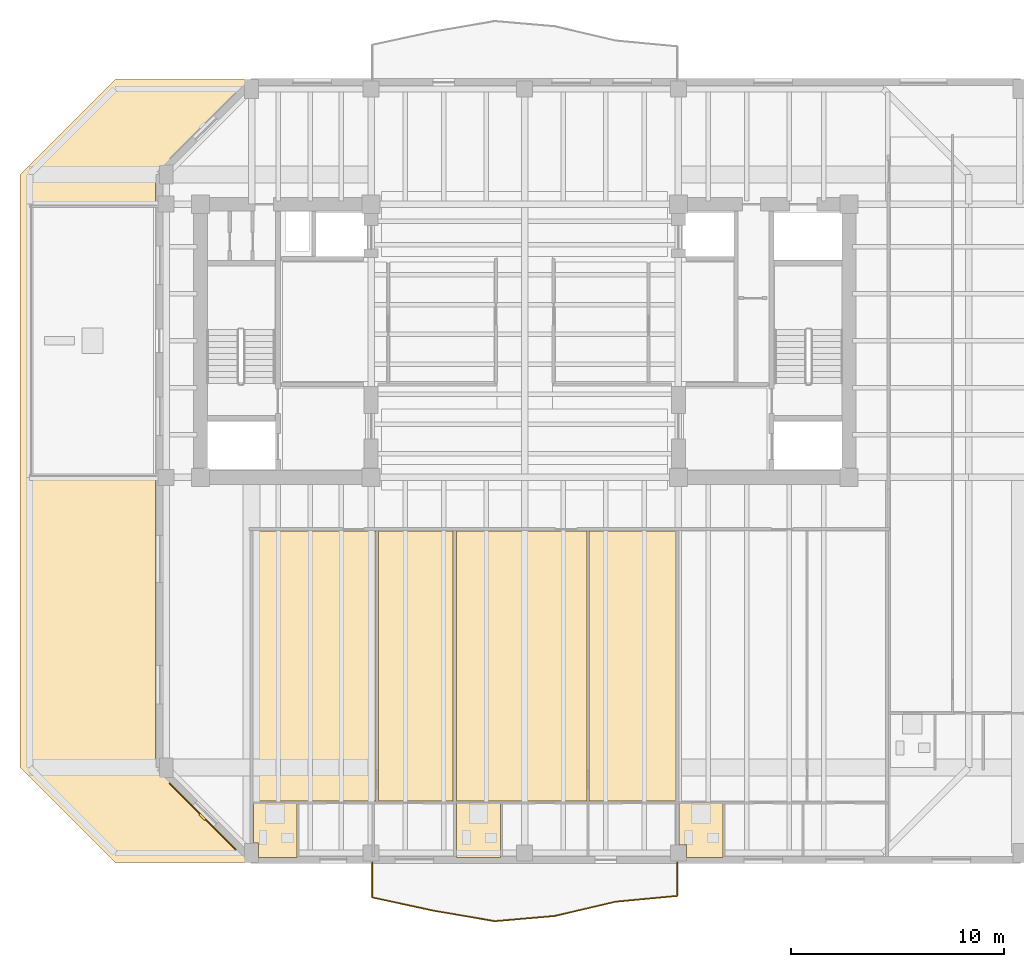
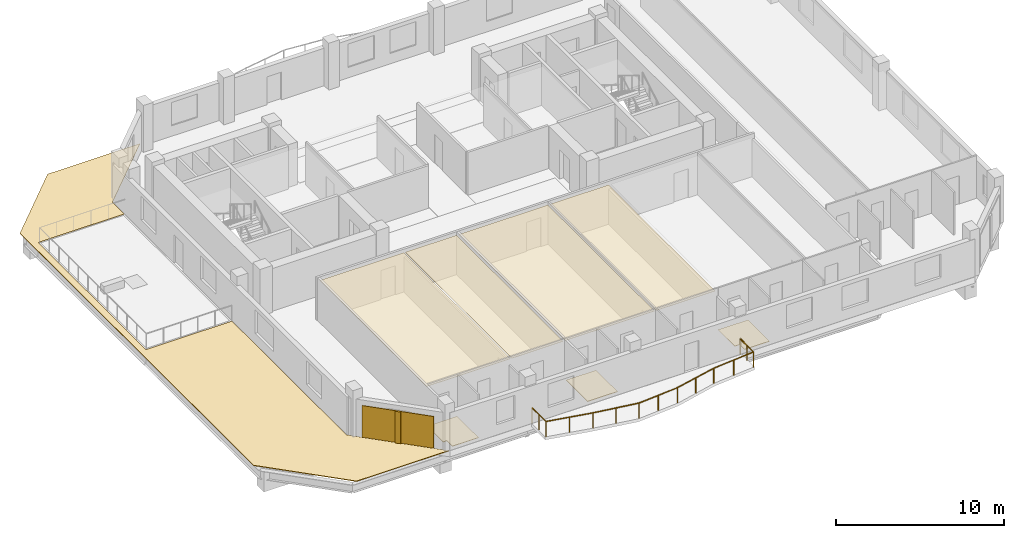
# One storey, part 7 of 11: 9 coverings, 1 railing, 1 shading device.
"""IFC4 building model written with IfcOpenShell, lengths in metres."""

from ifc_helpers import new_model, si_unit, direction, frame, origin, origin_2d, place, context, subcontext, project, spatial, polyline, rectangle, circle, outline, extrude, material, layer, layer_set, type_object, element, save


model = new_model("IFC4")

# Units and contexts
model_context = context("Model", 3, precision=1e-05, world=origin(), true_north=direction((0.0, 1.0)))
body_context = subcontext(model_context, "Body", "Model", "MODEL_VIEW")
ifc_project = project(units=[si_unit("LENGTHUNIT", "METRE"), si_unit("AREAUNIT", "SQUARE_METRE"), si_unit("VOLUMEUNIT", "CUBIC_METRE"), si_unit("PLANEANGLEUNIT", "RADIAN"), si_unit("MASSUNIT", "GRAM", prefix="KILO")], contexts=[model_context])

# Site, building, storey
site_placement = place(None, origin())
site = spatial("IfcSite", under=ifc_project, at=site_placement, CompositionType="ELEMENT")
building_placement = place(site_placement, origin())
building = spatial("IfcBuilding", under=site, at=building_placement, Name="Kranthara Brick Stack", CompositionType="ELEMENT")
storey_placement = place(building_placement, frame((0.0, 0.0, 227.89990234375)))
storey = spatial("IfcBuildingStorey", under=building, at=storey_placement, Name="L59", CompositionType="ELEMENT", Elevation=227.89990234375)

# Coverings
ifc_material_1 = material(Name="Perforated mineral-fibre acoustic ceiling tile", Category="other")
ifc_layer_1 = layer(ifc_material_1, 0.02490234375)
ifc_layer_set_1 = layer_set([ifc_layer_1], Name="Perforated mineral-fibre acoustic ceiling tile")
covering_type_1 = type_object("IfcCoveringType", Name="COV-CEIL-ACOUSTIC", PredefinedType="CEILING", material=ifc_layer_set_1)
covering_1_placement = place(storey_placement, frame((0.0, 0.0, 2.830078125)))
element("IfcCovering", 1, at=covering_1_placement, inside=storey, type_object=covering_type_1, Name="L59 Unit L59A 1-Bed Apartment Living Dining Acoustic Ceiling", PredefinedType="CEILING", context=body_context, shape_type="SweptSolid", body=[
    extrude(outline(polyline([(21.0390625, 5.6298828125), (21.0390625, 18.300048828125), (15.280029296875, 18.300048828125), (15.280029296875, 5.6298828125), (21.0390625, 5.6298828125)])), origin(), (0.0, 0.0, 1.0), 0.02490234375),
])
covering_2_placement = place(storey_placement, frame((0.0, 0.0, 2.830078125)))
element("IfcCovering", 2, at=covering_2_placement, inside=storey, type_object=covering_type_1, Name="L59 Unit L59A Private Study Room Acoustic Ceiling", PredefinedType="CEILING", context=body_context, shape_type="SweptSolid", body=[
    extrude(outline(polyline([(24.64990234375, 5.6298828125), (24.64990234375, 18.300048828125), (21.138916015625, 18.300048828125), (21.138916015625, 5.6298828125), (24.64990234375, 5.6298828125)])), origin(), (0.0, 0.0, 1.0), 0.02490234375),
])
covering_3_placement = place(storey_placement, frame((0.0, 0.0, 2.830078125)))
element("IfcCovering", 3, at=covering_3_placement, inside=storey, type_object=covering_type_1, Name="L59 Unit L59B 1-Bed Apartment Living Dining Acoustic Ceiling", PredefinedType="CEILING", context=body_context, shape_type="SweptSolid", body=[
    extrude(outline(polyline([(30.916015625, 5.6298828125), (30.916015625, 18.300048828125), (24.81005859375, 18.300048828125), (24.81005859375, 5.6298828125), (30.916015625, 5.6298828125)])), origin(), (0.0, 0.0, 1.0), 0.02490234375),
])
covering_4_placement = place(storey_placement, frame((0.0, 0.0, 2.830078125)))
element("IfcCovering", 4, at=covering_4_placement, inside=storey, type_object=covering_type_1, Name="L59 Unit L59B Private Study Room Acoustic Ceiling", PredefinedType="CEILING", context=body_context, shape_type="SweptSolid", body=[
    extrude(outline(polyline([(35.072998046875, 5.6298828125), (35.072998046875, 18.300048828125), (31.01611328125, 18.300048828125), (31.01611328125, 5.6298828125), (35.072998046875, 5.6298828125)])), origin(), (0.0, 0.0, 1.0), 0.02490234375),
])
ifc_material_2 = material(Name="Warm buff kiln-fired brick slip rainscreen", Category="masonry")
ifc_layer_2 = layer(ifc_material_2, 0.044921875)
ifc_layer_set_2 = layer_set([ifc_layer_2], Name="Warm buff kiln-fired brick slip rainscreen")
covering_type_2 = type_object("IfcCoveringType", Name="COV-CLAD-BRICK", PredefinedType="CLADDING", material=ifc_layer_set_2)
covering_5_placement = place(storey_placement, frame((12.91259765625, 4.91259765625, 0.05029296875), z_axis=(0.0, 0.0, 1.0), x_axis=(-0.707106781187, 0.707106781187, 0.0)))
element("IfcCovering", 5, at=covering_5_placement, inside=storey, type_object=covering_type_2, Name="L59 Chamfer Brick Rainscreen Cladding SW", PredefinedType="CLADDING", context=body_context, shape_type="SweptSolid", body=[
    extrude(rectangle(XDim=4.39892578125, YDim=0.044921875, at=origin_2d()), origin(), (0.0, 0.0, 1.0), 2.300048828125),
])
ifc_material_3 = material(Name="Honed terrazzo and porcelain floor finish", Category="stone")
ifc_layer_3 = layer(ifc_material_3, 0.030029296875)
ifc_layer_set_3 = layer_set([ifc_layer_3], Name="Honed terrazzo and porcelain floor finish")
covering_type_3 = type_object("IfcCoveringType", Name="COV-FLOR-STONE", PredefinedType="FLOORING", material=ifc_layer_set_3)
covering_6_placement = place(storey_placement, origin())
element("IfcCovering", 6, at=covering_6_placement, inside=storey, type_object=covering_type_3, Name="L59 Wet Room Porcelain Flooring", PredefinedType="FLOORING", context=body_context, shape_type="SweptSolid", body=[
    extrude(outline(polyline([(15.280029296875, 5.550048828125), (17.330078125, 5.550048828125), (17.330078125, 3.0), (15.534912109375, 3.0), (15.534912109375, 3.659912109375), (15.280029296875, 3.659912109375), (15.280029296875, 5.550048828125)])), origin(), (0.0, 0.0, 1.0), 0.030029296875),
])
covering_7_placement = place(storey_placement, origin())
element("IfcCovering", 7, at=covering_7_placement, inside=storey, type_object=covering_type_3, Name="L59 Wet Room Porcelain Flooring", PredefinedType="FLOORING", context=body_context, shape_type="SweptSolid", body=[
    extrude(outline(polyline([(26.860107421875, 3.0), (26.860107421875, 5.550048828125), (24.81005859375, 5.550048828125), (24.81005859375, 3.0), (26.860107421875, 3.0)])), origin(), (0.0, 0.0, 1.0), 0.030029296875),
])
covering_8_placement = place(storey_placement, origin())
element("IfcCovering", 8, at=covering_8_placement, inside=storey, type_object=covering_type_3, Name="L59 Wet Room Porcelain Flooring", PredefinedType="FLOORING", context=body_context, shape_type="SweptSolid", body=[
    extrude(outline(polyline([(35.23291015625, 5.550048828125), (37.282958984375, 5.550048828125), (37.282958984375, 3.0), (35.5849609375, 3.0), (35.5849609375, 3.5849609375), (35.23291015625, 3.5849609375), (35.23291015625, 5.550048828125)])), origin(), (0.0, 0.0, 1.0), 0.030029296875),
])
ifc_material_4 = material(Name="EPDM waterproofing membrane and rigid insulation", Category="other")
ifc_layer_4 = layer(ifc_material_4, 0.0400390625)
ifc_layer_set_4 = layer_set([ifc_layer_4], Name="EPDM waterproofing membrane and rigid insulation")
covering_type_4 = type_object("IfcCoveringType", Name="COV-ROOF-MEMB", PredefinedType="ROOFING", material=ifc_layer_set_4)
covering_9_placement = place(storey_placement, frame((0.0, 0.0, -0.039794921875)))
element("IfcCovering", 9, at=covering_9_placement, inside=storey, type_object=covering_type_4, Name="L59 Setback Flat Roof Waterproofing Membrane 01", PredefinedType="ROOFING", context=body_context, shape_type="SweptSolid", body=[
    extrude(outline(polyline([(4.35009765625, 7.220703125), (4.35009765625, 34.979248046875), (8.82080078125, 39.449951171875), (15.14990234375, 39.449951171875), (10.699951171875, 35.0), (10.699951171875, 33.60009765625), (4.800048828125, 33.60009765625), (4.800048828125, 20.800048828125), (10.699951171875, 20.800048828125), (10.699951171875, 7.199951171875), (15.14990234375, 2.75), (8.82080078125, 2.75), (4.35009765625, 7.220703125)])), origin(), (0.0, 0.0, 1.0), 0.039794921875),
])

# Railing
ifc_material_5 = material(Name="Bronze anodised aluminium and laminated glass balustrade", Category="aluminium")
railing_type = type_object("IfcRailingType", Name="RL-BALC-1120", PredefinedType="BALUSTRADE", material=ifc_material_5)
railing_placement = place(storey_placement, frame((35.139892578125, 2.760009765625, 0.0)))
element("IfcRailing", 10, at=railing_placement, inside=storey, type_object=railing_type, Name="L59 South Rippling Balcony Balustrade", PredefinedType="BALUSTRADE", context=body_context, shape_type="SweptSolid", body=[
    extrude(circle(Radius=0.02392578125, at=origin_2d()), frame((0.0, 0.0, 1.09619140625), z_axis=(0.0, -1.0, 0.0), x_axis=(1.0, 0.0, 0.0)), (0.0, 0.0, 1.0), 1.57177734375),
    extrude(circle(Radius=0.02392578125, at=origin_2d()), frame((0.0, -1.57177734375, 1.09619140625), z_axis=(-0.995609679925, -0.09360216472, 0.0), x_axis=(0.09360216472, -0.995609679925, 0.0)), (0.0, 0.0, 1.0), 2.892578125),
    extrude(circle(Radius=0.02392578125, at=origin_2d()), frame((-2.8798828125, -1.842529296875, 1.09619140625), z_axis=(-0.973713980444, -0.227774195834, 0.0), x_axis=(0.227774195834, -0.973713980444, 0.0)), (0.0, 0.0, 1.0), 2.947509765625),
    extrude(circle(Radius=0.02392578125, at=origin_2d()), frame((-5.75, -2.513916015625, 1.09619140625), z_axis=(-0.996296771882, -0.085981058019, 0.0), x_axis=(0.085981058019, -0.996296771882, 0.0)), (0.0, 0.0, 1.0), 2.7939453125),
    extrude(circle(Radius=0.02392578125, at=origin_2d()), frame((-8.53369140625, -2.754150390625, 1.09619140625), z_axis=(-0.985748990032, 0.168222854128, 0.0), x_axis=(-0.168222854128, -0.985748990032, 0.0)), (0.0, 0.0, 1.0), 2.908447265625),
    extrude(circle(Radius=0.02392578125, at=origin_2d()), frame((-11.400634765625, -2.264892578125, 1.09619140625), z_axis=(-0.977479825802, 0.211028884634, 0.0), x_axis=(-0.211028884634, -0.977479825802, 0.0)), (0.0, 0.0, 1.0), 2.945556640625),
    extrude(circle(Radius=0.02392578125, at=origin_2d()), frame((-14.27978515625, -1.643310546875, 1.09619140625), z_axis=(0.0, 1.0, 0.0), x_axis=(-1.0, 0.0, 0.0)), (0.0, 0.0, 1.0), 1.643310546875),
    extrude(circle(Radius=0.02099609375, at=origin_2d()), origin(), (0.0, 0.0, 1.0), 1.072021484375),
    extrude(circle(Radius=0.02099609375, at=origin_2d()), frame((0.0, -0.785888671875, 0.0)), (0.0, 0.0, 1.0), 1.072021484375),
    extrude(circle(Radius=0.02099609375, at=origin_2d()), frame((0.0, -1.57177734375, 0.0)), (0.0, 0.0, 1.0), 1.072021484375),
    extrude(circle(Radius=0.02099609375, at=origin_2d()), frame((-1.43994140625, -1.70703125, 0.0)), (0.0, 0.0, 1.0), 1.072021484375),
    extrude(circle(Radius=0.02099609375, at=origin_2d()), frame((-2.8798828125, -1.842529296875, 0.0)), (0.0, 0.0, 1.0), 1.072021484375),
    extrude(circle(Radius=0.02099609375, at=origin_2d()), frame((-4.31494140625, -2.17822265625, 0.0)), (0.0, 0.0, 1.0), 1.072021484375),
    extrude(circle(Radius=0.02099609375, at=origin_2d()), frame((-5.75, -2.513916015625, 0.0)), (0.0, 0.0, 1.0), 1.072021484375),
    extrude(circle(Radius=0.02099609375, at=origin_2d()), frame((-7.141845703125, -2.634033203125, 0.0)), (0.0, 0.0, 1.0), 1.072021484375),
    extrude(circle(Radius=0.02099609375, at=origin_2d()), frame((-8.53369140625, -2.754150390625, 0.0)), (0.0, 0.0, 1.0), 1.072021484375),
    extrude(circle(Radius=0.02099609375, at=origin_2d()), frame((-9.96728515625, -2.509521484375, 0.0)), (0.0, 0.0, 1.0), 1.072021484375),
    extrude(circle(Radius=0.02099609375, at=origin_2d()), frame((-11.400634765625, -2.264892578125, 0.0)), (0.0, 0.0, 1.0), 1.072021484375),
    extrude(circle(Radius=0.02099609375, at=origin_2d()), frame((-12.84033203125, -1.9541015625, 0.0)), (0.0, 0.0, 1.0), 1.072021484375),
    extrude(circle(Radius=0.02099609375, at=origin_2d()), frame((-14.27978515625, -1.643310546875, 0.0)), (0.0, 0.0, 1.0), 1.072021484375),
    extrude(circle(Radius=0.02099609375, at=origin_2d()), frame((-14.27978515625, -0.82177734375, 0.0)), (0.0, 0.0, 1.0), 1.072021484375),
    extrude(circle(Radius=0.02099609375, at=origin_2d()), frame((-14.27978515625, 0.0, 0.0)), (0.0, 0.0, 1.0), 1.072021484375),
])

# Shading device
ifc_material_6 = material(Name="Kiln-fired terracotta aerodynamic wind fin", Category="masonry")
shading_device_type = type_object("IfcShadingDeviceType", Name="SHD-BAFFLE-CORNER", PredefinedType="SHUTTER", material=ifc_material_6)
shading_device_placement = place(storey_placement, frame((12.8916015625, 4.8916015625, 0.05029296875), z_axis=(0.0, 0.0, 1.0), x_axis=(-0.707106781187, 0.707106781187, 0.0)))
element("IfcShadingDevice", 11, at=shading_device_placement, inside=storey, type_object=shading_device_type, Name="L59 Chamfer Wind-Baffle Fin SW", PredefinedType="SHUTTER", context=body_context, shape_type="SweptSolid", body=[
    extrude(rectangle(XDim=0.35009765625, YDim=0.1201171875, at=origin_2d()), origin(), (0.0, 0.0, 1.0), 2.300048828125),
])

save(model, "model.ifc")
